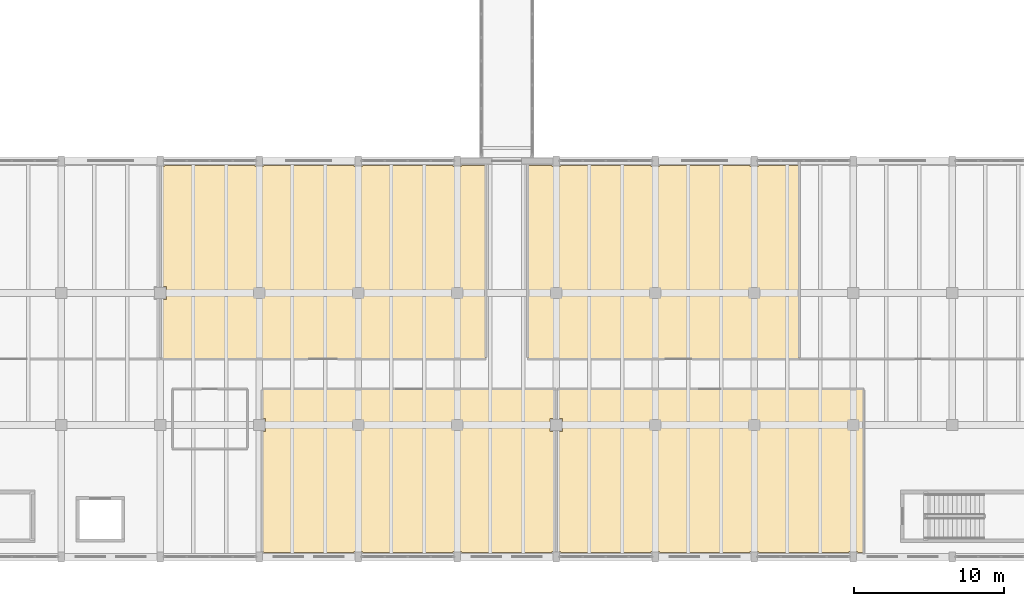
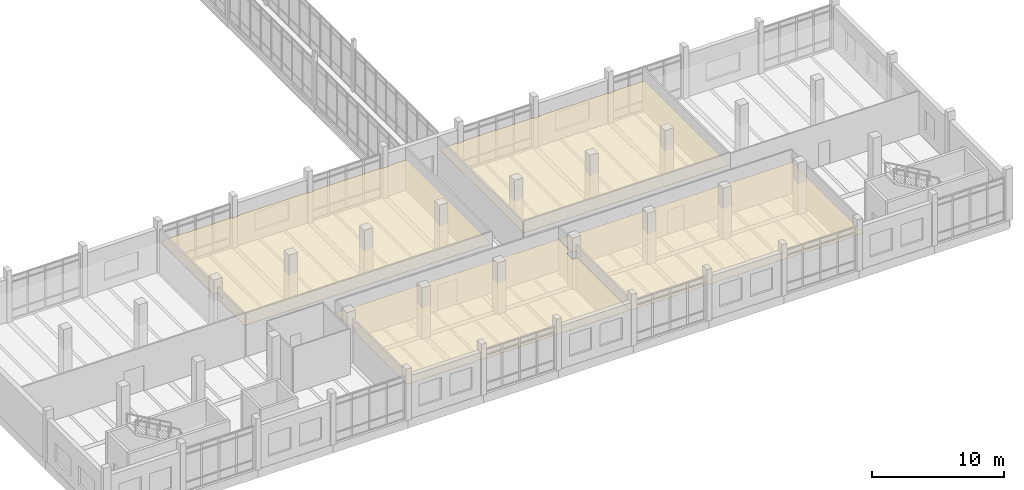
# One storey, part 114 of 125: 4 coverings.
"""IFC4 building model written with IfcOpenShell, lengths in metres."""

from ifc_helpers import new_model, si_unit, direction, frame, origin, place, context, subcontext, project, spatial, polyline, outline, extrude, material, layer, layer_set, type_object, element, save


model = new_model("IFC4")

# Units and contexts
model_context = context("Model", 3, precision=1e-05, world=origin(), true_north=direction((0.0, 1.0)))
body_context = subcontext(model_context, "Body", "Model", "MODEL_VIEW")
ifc_project = project(units=[si_unit("LENGTHUNIT", "METRE"), si_unit("AREAUNIT", "SQUARE_METRE"), si_unit("VOLUMEUNIT", "CUBIC_METRE"), si_unit("PLANEANGLEUNIT", "RADIAN"), si_unit("MASSUNIT", "GRAM", prefix="KILO")], contexts=[model_context])

# Site, building, storey
site_placement = place(None, origin())
site = spatial("IfcSite", under=ifc_project, at=site_placement, CompositionType="ELEMENT")
building_placement = place(site_placement, origin())
building = spatial("IfcBuilding", under=site, at=building_placement, Name="Dornvale Research Institute", CompositionType="ELEMENT")
storey_placement = place(building_placement, frame((0.0, 0.0, 5.39990234375)))
storey = spatial("IfcBuildingStorey", under=building, at=storey_placement, Name="L01", CompositionType="ELEMENT", Elevation=5.39990234375)

# Coverings
ifc_material_1 = material(Name="Mineral-Fibre Acoustic Lay-In Ceiling Tile System")
ifc_layer_1 = layer(ifc_material_1, 0.02001953125)
ifc_layer_set_1 = layer_set([ifc_layer_1], Name="Mineral-Fibre Acoustic Lay-In Ceiling Tile System")
covering_type_1 = type_object("IfcCoveringType", Name="Covering_Acoustic_Ceiling", PredefinedType="CEILING", material=ifc_layer_set_1)
covering_1_placement = place(storey_placement, frame((0.0, 0.0, 2.85009765625)))
element("IfcCovering", 1, at=covering_1_placement, inside=storey, type_object=covering_type_1, Name="L01 Nanometrology Calibration Suite L01 suspended ceiling", PredefinedType="CEILING", context=body_context, shape_type="SweptSolid", body=[
    extrude(outline(polyline([(165.27490234375, 0.300048828125), (165.27490234375, 0.375), (164.72509765625, 0.375), (164.72509765625, 0.300048828125), (158.675048828125, 0.300048828125), (158.675048828125, 0.375), (158.125, 0.375), (158.125, 0.300048828125), (152.074951171875, 0.300048828125), (152.074951171875, 0.375), (151.52490234375, 0.375), (151.52490234375, 0.300048828125), (145.47509765625, 0.300048828125), (145.47509765625, 0.375), (145.219970703125, 0.375), (145.219970703125, 8.375), (145.625, 8.375), (145.625, 9.22509765625), (145.219970703125, 9.22509765625), (145.219970703125, 11.179931640625), (165.679931640625, 11.179931640625), (165.679931640625, 0.300048828125), (165.27490234375, 0.300048828125)])), origin(), (0.0, 0.0, 1.0), 0.02001953125),
])
ifc_material_2 = material(Name="Flush Cleanroom Aluminum Walk-On HEPA Ceiling Grid", Category="aluminium")
ifc_layer_2 = layer(ifc_material_2, 0.0400390625)
ifc_layer_set_2 = layer_set([ifc_layer_2], Name="Flush Cleanroom Aluminum Walk-On HEPA Ceiling Grid")
covering_type_2 = type_object("IfcCoveringType", Name="Covering_Cleanroom_HEPA_Ceiling", PredefinedType="CEILING", material=ifc_layer_set_2)
covering_2_placement = place(storey_placement, frame((0.0, 0.0, 2.85009765625)))
element("IfcCovering", 2, at=covering_2_placement, inside=storey, type_object=covering_type_2, Name="L01 ISO Class 6 Thin-Film Deposition Cleanroom suspended ceiling", PredefinedType="CEILING", context=body_context, shape_type="SweptSolid", body=[
    extrude(outline(polyline([(118.820068359375, 13.219970703125), (118.820068359375, 17.175048828125), (119.22509765625, 17.175048828125), (119.22509765625, 18.02490234375), (118.820068359375, 18.02490234375), (118.820068359375, 26.02490234375), (119.074951171875, 26.02490234375), (119.074951171875, 26.10009765625), (125.125, 26.10009765625), (125.125, 26.02490234375), (125.675048828125, 26.02490234375), (125.675048828125, 26.10009765625), (131.72509765625, 26.10009765625), (131.72509765625, 26.02490234375), (132.27490234375, 26.02490234375), (132.27490234375, 26.10009765625), (138.324951171875, 26.10009765625), (138.324951171875, 26.02490234375), (138.875, 26.02490234375), (138.875, 26.10009765625), (140.47998046875, 26.10009765625), (140.47998046875, 13.219970703125), (118.820068359375, 13.219970703125)])), origin(), (0.0, 0.0, 1.0), 0.0400390625),
])
covering_3_placement = place(storey_placement, frame((0.0, 0.0, 2.85009765625)))
element("IfcCovering", 3, at=covering_3_placement, inside=storey, type_object=covering_type_2, Name="L01 Dry Etch and Plasma Processing Bay suspended ceiling", PredefinedType="CEILING", context=body_context, shape_type="SweptSolid", body=[
    extrude(outline(polyline([(161.3798828125, 26.10009765625), (161.3798828125, 13.219970703125), (143.320068359375, 13.219970703125), (143.320068359375, 26.10009765625), (144.925048828125, 26.10009765625), (144.925048828125, 26.02490234375), (145.47509765625, 26.02490234375), (145.47509765625, 26.10009765625), (151.52490234375, 26.10009765625), (151.52490234375, 26.02490234375), (152.074951171875, 26.02490234375), (152.074951171875, 26.10009765625), (158.125, 26.10009765625), (158.125, 26.02490234375), (158.675048828125, 26.02490234375), (158.675048828125, 26.10009765625), (161.3798828125, 26.10009765625)])), origin(), (0.0, 0.0, 1.0), 0.0400390625),
])
covering_4_placement = place(storey_placement, frame((0.0, 0.0, 2.85009765625)))
element("IfcCovering", 4, at=covering_4_placement, inside=storey, type_object=covering_type_2, Name="L01 Cleanroom Return-Air Service Chase L01 suspended ceiling", PredefinedType="CEILING", context=body_context, shape_type="SweptSolid", body=[
    extrude(outline(polyline([(138.875, 0.300048828125), (138.875, 0.375), (138.324951171875, 0.375), (138.324951171875, 0.300048828125), (132.27490234375, 0.300048828125), (132.27490234375, 0.375), (131.72509765625, 0.375), (131.72509765625, 0.300048828125), (125.675048828125, 0.300048828125), (125.675048828125, 0.375), (125.6201171875, 0.375), (125.6201171875, 8.375), (125.824951171875, 8.375), (125.824951171875, 9.22509765625), (125.6201171875, 9.22509765625), (125.6201171875, 11.179931640625), (145.179931640625, 11.179931640625), (145.179931640625, 9.22509765625), (144.77490234375, 9.22509765625), (144.77490234375, 8.375), (145.179931640625, 8.375), (145.179931640625, 0.375), (144.925048828125, 0.375), (144.925048828125, 0.300048828125), (138.875, 0.300048828125)])), origin(), (0.0, 0.0, 1.0), 0.0400390625),
])

save(model, "model.ifc")
